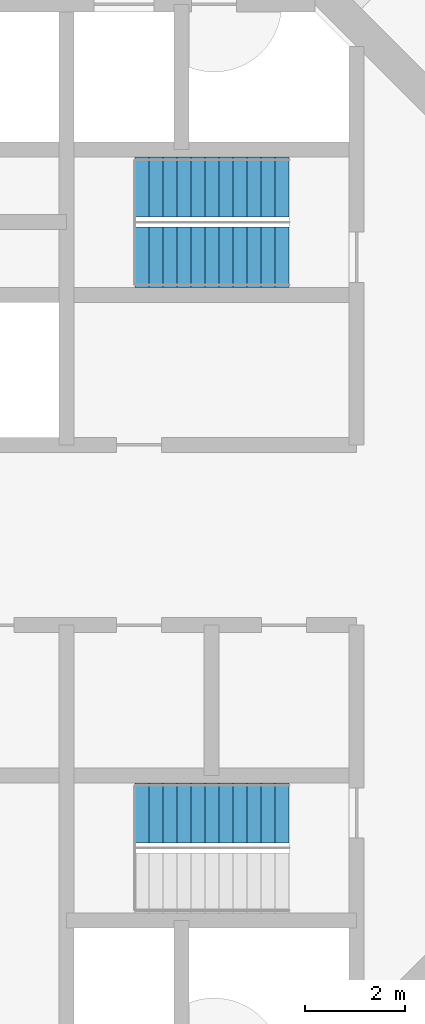
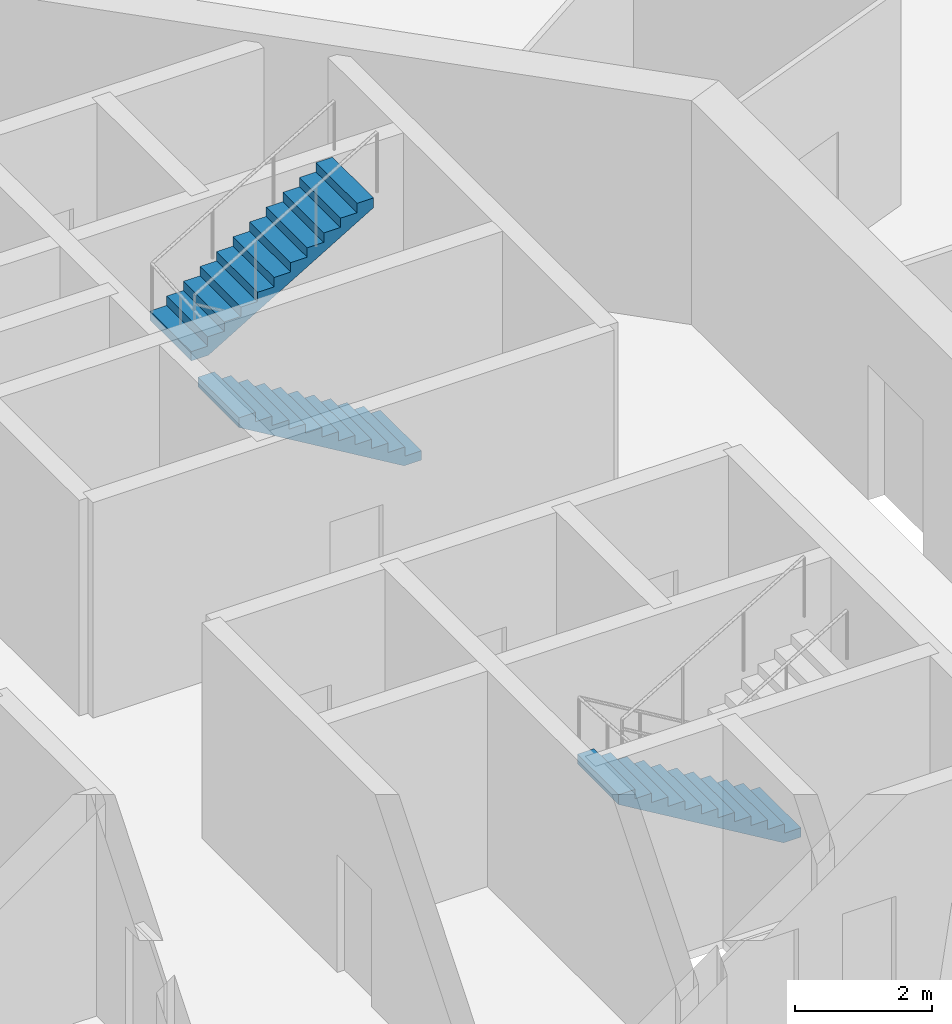
# One storey, part 6 of 13: 3 stair flights, 2 elements without a shape of their own.
"""IFC4 building model written with IfcOpenShell, lengths in metres."""

from ifc_helpers import new_model, si_unit, direction, frame, origin, place, context, subcontext, project, spatial, polyline, outline, extrude, material, type_object, element, aggregate, save


model = new_model("IFC4")

# Units and contexts
model_context = context("Model", 3, precision=1e-05, world=origin(), true_north=direction((0.0, 1.0)))
body_context = subcontext(model_context, "Body", "Model", "MODEL_VIEW")
ifc_project = project(units=[si_unit("LENGTHUNIT", "METRE"), si_unit("AREAUNIT", "SQUARE_METRE"), si_unit("VOLUMEUNIT", "CUBIC_METRE"), si_unit("PLANEANGLEUNIT", "RADIAN"), si_unit("MASSUNIT", "GRAM", prefix="KILO")], contexts=[model_context])

# Site, building, storey
site_placement = place(None, origin())
site = spatial("IfcSite", under=ifc_project, at=site_placement, CompositionType="ELEMENT")
building_placement = place(site_placement, origin())
building = spatial("IfcBuilding", under=site, at=building_placement, Name="Entoto Ring Tower", CompositionType="ELEMENT")
storey_placement = place(building_placement, frame((0.0, 0.0, 376.0)))
storey = spatial("IfcBuildingStorey", under=building, at=storey_placement, Name="L87", CompositionType="ELEMENT", Elevation=376.0)

# Stair, stair flights
ifc_material_1 = material(Name="Concrete C40/50", Category="concrete")
stair_type = type_object("IfcStairType", Name="Exit stair 1200 mm dog-leg reinforced concrete", PredefinedType="HALF_TURN_STAIR", material=ifc_material_1)
stair_1_placement = place(storey_placement, origin())
stair_1 = element("IfcStair", 1, at=stair_1_placement, inside=storey, type_object=stair_type, Name="Exit stair 1", PredefinedType="HALF_TURN_STAIR")
ifc_material_2 = material(Name="Concrete C40/50", Category="concrete")
stair_flight_type = type_object("IfcStairFlightType", Name="Stair flight 1200 mm reinforced concrete", PredefinedType="STRAIGHT", material=ifc_material_2)
stair_flight_1_placement = place(storey_placement, frame((99.25, 85.550048828125, 0.0), z_axis=(0.0, 0.0, 1.0), x_axis=(-1.0, 0.0, 0.0)))
stair_flight_1 = element("IfcStairFlight", 2, at=stair_flight_1_placement, type_object=stair_flight_type, Name="ST1 flight 1", NumberOfRisers=12, NumberOfTreads=11, PredefinedType="STRAIGHT", RiserHeight=0.166666667, TreadLength=0.28, context=body_context, shape_type="SweptSolid", body=[
    extrude(outline(polyline([(0.0, 0.0), (0.0, 0.166748046875), (0.280029296875, 0.166748046875), (0.280029296875, 0.333251953125), (0.56005859375, 0.333251953125), (0.56005859375, 0.5), (0.840087890625, 0.5), (0.840087890625, 0.666748046875), (1.1201171875, 0.666748046875), (1.1201171875, 0.833251953125), (1.39990234375, 0.833251953125), (1.39990234375, 1.0), (1.679931640625, 1.0), (1.679931640625, 1.166748046875), (1.9599609375, 1.166748046875), (1.9599609375, 1.333251953125), (2.239990234375, 1.333251953125), (2.239990234375, 1.5), (2.52001953125, 1.5), (2.52001953125, 1.666748046875), (2.800048828125, 1.666748046875), (2.800048828125, 1.833251953125), (3.080078125, 1.833251953125), (3.080078125, 2.0), (3.080078125, 1.658935546875), (0.29296875, 0.0), (0.0, 0.0)])), frame((0.0, 0.60009765625, 0.0), z_axis=(0.0, -1.0, 0.0), x_axis=(1.0, 0.0, 0.0)), (0.0, 0.0, 1.0), 1.199951171875),
])
stair_flight_2_placement = place(storey_placement, frame((96.169921875, 86.949951171875, 2.0), z_axis=(0.0, 0.0, 1.0), x_axis=(1.0, 0.0, 0.0)))
stair_flight_2 = element("IfcStairFlight", 3, at=stair_flight_2_placement, type_object=stair_flight_type, Name="ST1 flight 2", NumberOfRisers=12, NumberOfTreads=11, PredefinedType="STRAIGHT", RiserHeight=0.166666667, TreadLength=0.28, context=body_context, shape_type="SweptSolid", body=[
    extrude(outline(polyline([(0.0, 0.0), (0.0, 0.166748046875), (0.280029296875, 0.166748046875), (0.280029296875, 0.333251953125), (0.56005859375, 0.333251953125), (0.56005859375, 0.5), (0.840087890625, 0.5), (0.840087890625, 0.666748046875), (1.1201171875, 0.666748046875), (1.1201171875, 0.833251953125), (1.39990234375, 0.833251953125), (1.39990234375, 1.0), (1.679931640625, 1.0), (1.679931640625, 1.166748046875), (1.9599609375, 1.166748046875), (1.9599609375, 1.333251953125), (2.239990234375, 1.333251953125), (2.239990234375, 1.5), (2.52001953125, 1.5), (2.52001953125, 1.666748046875), (2.800048828125, 1.666748046875), (2.800048828125, 1.833251953125), (3.080078125, 1.833251953125), (3.080078125, 2.0), (3.080078125, 1.658935546875), (0.29296875, 0.0), (0.0, 0.0)])), frame((0.0, 0.60009765625, 0.0), z_axis=(0.0, -1.0, 0.0), x_axis=(1.0, 0.0, 0.0)), (0.0, 0.0, 1.0), 1.199951171875),
])
aggregate(stair_1, [stair_flight_1, stair_flight_2])

# Stair, stair flight
stair_2_placement = place(storey_placement, origin())
stair_2 = element("IfcStair", 4, at=stair_2_placement, inside=storey, type_object=stair_type, Name="Exit stair 3", PredefinedType="HALF_TURN_STAIR")
stair_flight_3_placement = place(storey_placement, frame((99.25, 74.449951171875, 0.0), z_axis=(0.0, 0.0, 1.0), x_axis=(-1.0, 0.0, 0.0)))
stair_flight_3 = element("IfcStairFlight", 5, at=stair_flight_3_placement, type_object=stair_flight_type, Name="ST3 flight 1", NumberOfRisers=12, NumberOfTreads=11, PredefinedType="STRAIGHT", RiserHeight=0.166666667, TreadLength=0.28, context=body_context, shape_type="SweptSolid", body=[
    extrude(outline(polyline([(0.0, 0.0), (0.0, 0.166748046875), (0.280029296875, 0.166748046875), (0.280029296875, 0.333251953125), (0.56005859375, 0.333251953125), (0.56005859375, 0.5), (0.840087890625, 0.5), (0.840087890625, 0.666748046875), (1.1201171875, 0.666748046875), (1.1201171875, 0.833251953125), (1.39990234375, 0.833251953125), (1.39990234375, 1.0), (1.679931640625, 1.0), (1.679931640625, 1.166748046875), (1.9599609375, 1.166748046875), (1.9599609375, 1.333251953125), (2.239990234375, 1.333251953125), (2.239990234375, 1.5), (2.52001953125, 1.5), (2.52001953125, 1.666748046875), (2.800048828125, 1.666748046875), (2.800048828125, 1.833251953125), (3.080078125, 1.833251953125), (3.080078125, 2.0), (3.080078125, 1.658935546875), (0.29296875, 0.0), (0.0, 0.0)])), frame((0.0, 0.60009765625, 0.0), z_axis=(0.0, -1.0, 0.0), x_axis=(1.0, 0.0, 0.0)), (0.0, 0.0, 1.0), 1.199951171875),
])
aggregate(stair_2, [stair_flight_3])

save(model, "model.ifc")
